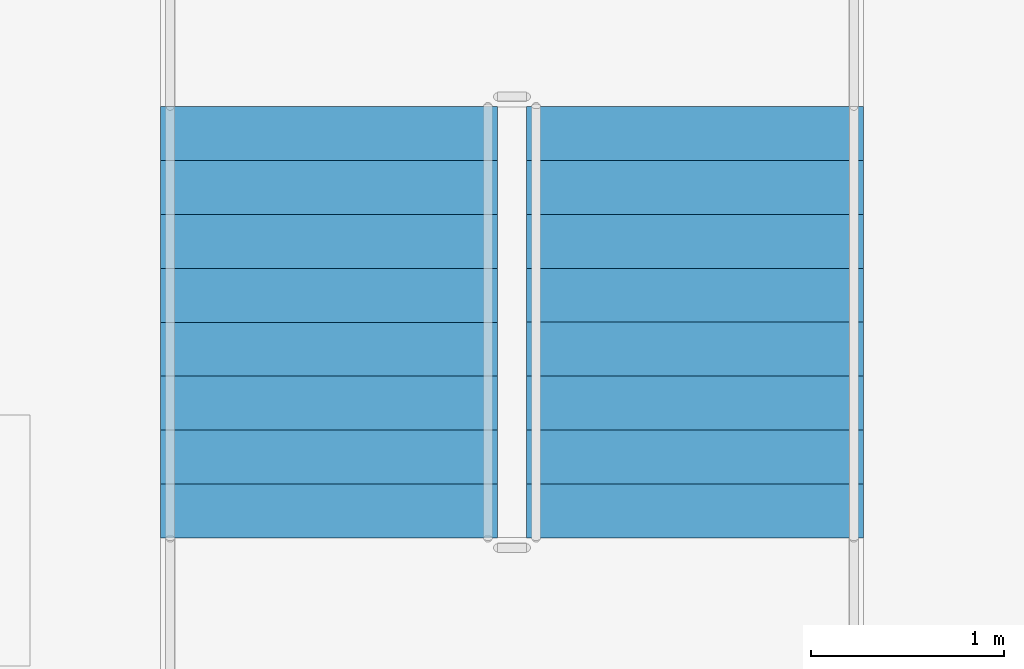
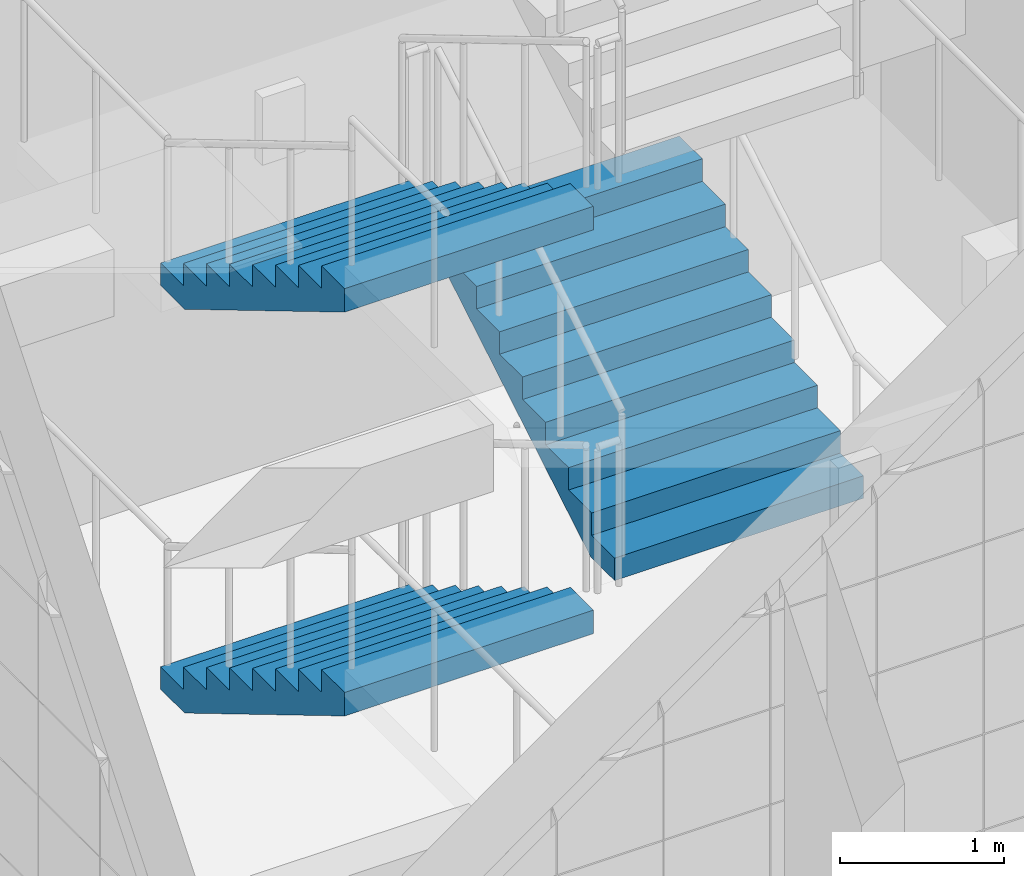
# One storey, part 62 of 125: 3 stair flights, 1 element without a shape of its own.
"""IFC4 building model written with IfcOpenShell, lengths in metres."""

from ifc_helpers import new_model, si_unit, direction, frame, origin, place, context, subcontext, project, spatial, polyline, outline, extrude, material, type_object, element, aggregate, save


model = new_model("IFC4")

# Units and contexts
model_context = context("Model", 3, precision=1e-05, world=origin(), true_north=direction((0.0, 1.0)))
body_context = subcontext(model_context, "Body", "Model", "MODEL_VIEW")
ifc_project = project(units=[si_unit("LENGTHUNIT", "METRE"), si_unit("AREAUNIT", "SQUARE_METRE"), si_unit("VOLUMEUNIT", "CUBIC_METRE"), si_unit("PLANEANGLEUNIT", "RADIAN"), si_unit("MASSUNIT", "GRAM", prefix="KILO")], contexts=[model_context])

# Site, building, storey
site_placement = place(None, origin())
site = spatial("IfcSite", under=ifc_project, at=site_placement, CompositionType="ELEMENT")
building_placement = place(site_placement, origin())
building = spatial("IfcBuilding", under=site, at=building_placement, Name="Sun Court Science Centre", CompositionType="ELEMENT")
storey_placement = place(building_placement, origin())
storey = spatial("IfcBuildingStorey", under=building, at=storey_placement, Name="L00", CompositionType="ELEMENT", Elevation=0.0)

# Stair, stair flights
ifc_material_1 = material(Name="Concrete C25/30", Category="concrete")
stair_type = type_object("IfcStairType", Name="Stair 1500 enclosed half-turn", PredefinedType="HALF_TURN_STAIR", material=ifc_material_1)
stair_placement = place(storey_placement, origin())
stair = element("IfcStair", 1, at=stair_placement, inside=storey, type_object=stair_type, Name="L00 Stair SL1", PredefinedType="HALF_TURN_STAIR")
ifc_material_2 = material(Name="Concrete C25/30", Category="concrete")
stair_flight_type = type_object("IfcStairFlightType", Name="Stair flight 1500 with waist", PredefinedType="STRAIGHT", material=ifc_material_2)
stair_flight_1_placement = place(storey_placement, frame((81.551025390625, 11.501953125, 0.0), z_axis=(0.0, 0.0, 1.0), x_axis=(0.0, -1.0, 0.0)))
stair_flight_1 = element("IfcStairFlight", 2, at=stair_flight_1_placement, type_object=stair_flight_type, Name="SL1 flight 1", NumberOfRisers=9, NumberOfTreads=8, PredefinedType="STRAIGHT", RiserHeight=0.166666667, TreadLength=0.28, context=body_context, shape_type="SweptSolid", body=[
    extrude(outline(polyline([(0.0, 0.0), (0.0, 0.00244140625), (0.0, 0.0048828125), (0.0, 0.00732421875), (0.0, 0.009765625), (0.0, 0.01220703125), (0.0, 0.0146484375), (0.0, 0.01708984375), (0.0, 0.01953125), (0.0, 0.02197265625), (0.0, 0.0244140625), (0.0, 0.02685546875), (0.0, 0.029296875), (0.0, 0.03173828125), (0.0, 0.0341796875), (0.0, 0.03662109375), (0.0, 0.0390625), (0.0, 0.04150390625), (0.0, 0.0439453125), (0.0, 0.04638671875), (0.0, 0.048828125), (0.0, 0.05126953125), (0.0, 0.0537109375), (0.0, 0.05615234375), (0.0, 0.05859375), (0.0, 0.06103515625), (0.0, 0.0634765625), (0.0, 0.06591796875), (0.0, 0.068359375), (0.0, 0.07080078125), (0.0, 0.0732421875), (0.0, 0.07568359375), (0.0, 0.078125), (0.0, 0.08056640625), (0.0, 0.0830078125), (0.0, 0.08544921875), (0.0, 0.087890625), (0.0, 0.09033203125), (0.0, 0.0927734375), (0.0, 0.09521484375), (0.0, 0.09765625), (0.0, 0.10009765625), (0.0, 0.1025390625), (0.0, 0.10498046875), (0.0, 0.107421875), (0.0, 0.10986328125), (0.0, 0.1123046875), (0.0, 0.11474609375), (0.0, 0.1171875), (0.0, 0.11962890625), (0.0, 0.1220703125), (0.0, 0.12451171875), (0.0, 0.126953125), (0.0, 0.12939453125), (0.0, 0.1318359375), (0.0, 0.13427734375), (0.0, 0.13671875), (0.0, 0.13916015625), (0.0, 0.1416015625), (0.0, 0.14404296875), (0.0, 0.146484375), (0.0, 0.14892578125), (0.0, 0.1513671875), (0.0, 0.15380859375), (0.0, 0.15625), (0.0, 0.15869140625), (0.0, 0.1611328125), (0.0, 0.16357421875), (0.0, 0.166748046875), (0.280029296875, 0.166748046875), (0.280029296875, 0.333251953125), (0.56005859375, 0.333251953125), (0.56005859375, 0.5), (0.840087890625, 0.5), (0.840087890625, 0.666748046875), (1.1201171875, 0.666748046875), (1.1201171875, 0.833251953125), (1.39990234375, 0.833251953125), (1.39990234375, 1.0), (1.679931640625, 1.0), (1.679931640625, 1.166748046875), (1.9599609375, 1.166748046875), (1.9599609375, 1.333251953125), (2.239990234375, 1.333251953125), (2.239990234375, 1.335693359375), (2.239990234375, 1.338134765625), (2.239990234375, 1.340576171875), (2.239990234375, 1.343017578125), (2.239990234375, 1.345458984375), (2.239990234375, 1.347900390625), (2.239990234375, 1.350341796875), (2.239990234375, 1.352783203125), (2.239990234375, 1.355224609375), (2.239990234375, 1.357666015625), (2.239990234375, 1.360107421875), (2.239990234375, 1.362548828125), (2.239990234375, 1.364990234375), (2.239990234375, 1.367431640625), (2.239990234375, 1.369873046875), (2.239990234375, 1.372314453125), (2.239990234375, 1.374755859375), (2.239990234375, 1.377197265625), (2.239990234375, 1.379638671875), (2.239990234375, 1.382080078125), (2.239990234375, 1.384521484375), (2.239990234375, 1.386962890625), (2.239990234375, 1.389404296875), (2.239990234375, 1.391845703125), (2.239990234375, 1.394287109375), (2.239990234375, 1.396728515625), (2.239990234375, 1.399169921875), (2.239990234375, 1.401611328125), (2.239990234375, 1.404052734375), (2.239990234375, 1.406494140625), (2.239990234375, 1.408935546875), (2.239990234375, 1.411376953125), (2.239990234375, 1.413818359375), (2.239990234375, 1.416259765625), (2.239990234375, 1.418701171875), (2.239990234375, 1.421142578125), (2.239990234375, 1.423583984375), (2.239990234375, 1.426025390625), (2.239990234375, 1.428466796875), (2.239990234375, 1.430908203125), (2.239990234375, 1.433349609375), (2.239990234375, 1.435791015625), (2.239990234375, 1.438232421875), (2.239990234375, 1.440673828125), (2.239990234375, 1.443115234375), (2.239990234375, 1.445556640625), (2.239990234375, 1.447998046875), (2.239990234375, 1.450439453125), (2.239990234375, 1.452880859375), (2.239990234375, 1.455322265625), (2.239990234375, 1.457763671875), (2.239990234375, 1.460205078125), (2.239990234375, 1.462646484375), (2.239990234375, 1.465087890625), (2.239990234375, 1.467529296875), (2.239990234375, 1.469970703125), (2.239990234375, 1.472412109375), (2.239990234375, 1.474853515625), (2.239990234375, 1.477294921875), (2.239990234375, 1.479736328125), (2.239990234375, 1.482177734375), (2.239990234375, 1.484619140625), (2.239990234375, 1.487060546875), (2.239990234375, 1.489501953125), (2.239990234375, 1.491943359375), (2.239990234375, 1.494384765625), (2.239990234375, 1.496826171875), (2.239990234375, 1.5), (2.239990234375, 1.49755859375), (2.239990234375, 1.4951171875), (2.239990234375, 1.49267578125), (2.239990234375, 1.490234375), (2.239990234375, 1.48779296875), (2.239990234375, 1.4853515625), (2.239990234375, 1.48291015625), (2.239990234375, 1.48046875), (2.239990234375, 1.47802734375), (2.239990234375, 1.4755859375), (2.239990234375, 1.47314453125), (2.239990234375, 1.470703125), (2.239990234375, 1.46826171875), (2.239990234375, 1.4658203125), (2.239990234375, 1.46337890625), (2.239990234375, 1.4609375), (2.239990234375, 1.45849609375), (2.239990234375, 1.4560546875), (2.239990234375, 1.45361328125), (2.239990234375, 1.451171875), (2.239990234375, 1.44873046875), (2.239990234375, 1.4462890625), (2.239990234375, 1.44384765625), (2.239990234375, 1.44140625), (2.239990234375, 1.43896484375), (2.239990234375, 1.4365234375), (2.239990234375, 1.43408203125), (2.239990234375, 1.431640625), (2.239990234375, 1.42919921875), (2.239990234375, 1.4267578125), (2.239990234375, 1.42431640625), (2.239990234375, 1.421875), (2.239990234375, 1.41943359375), (2.239990234375, 1.4169921875), (2.239990234375, 1.41455078125), (2.239990234375, 1.412109375), (2.239990234375, 1.40966796875), (2.239990234375, 1.4072265625), (2.239990234375, 1.40478515625), (2.239990234375, 1.40234375), (2.239990234375, 1.39990234375), (2.239990234375, 1.3974609375), (2.239990234375, 1.39501953125), (2.239990234375, 1.392578125), (2.239990234375, 1.39013671875), (2.239990234375, 1.3876953125), (2.239990234375, 1.38525390625), (2.239990234375, 1.3828125), (2.239990234375, 1.38037109375), (2.239990234375, 1.3779296875), (2.239990234375, 1.37548828125), (2.239990234375, 1.373046875), (2.239990234375, 1.37060546875), (2.239990234375, 1.3681640625), (2.239990234375, 1.36572265625), (2.239990234375, 1.36328125), (2.239990234375, 1.36083984375), (2.239990234375, 1.3583984375), (2.239990234375, 1.35595703125), (2.239990234375, 1.353515625), (2.239990234375, 1.35107421875), (2.239990234375, 1.3486328125), (2.239990234375, 1.34619140625), (2.239990234375, 1.34375), (2.239990234375, 1.34130859375), (2.239990234375, 1.3388671875), (2.239990234375, 1.33642578125), (2.239990234375, 1.333984375), (2.239990234375, 1.33154296875), (2.239990234375, 1.3291015625), (2.239990234375, 1.32666015625), (2.239990234375, 1.32421875), (2.239990234375, 1.32177734375), (2.239990234375, 1.3193359375), (2.239990234375, 1.31689453125), (2.239990234375, 1.314453125), (2.239990234375, 1.31201171875), (2.239990234375, 1.3095703125), (2.239990234375, 1.30712890625), (2.239990234375, 1.3046875), (2.239990234375, 1.30224609375), (2.239990234375, 1.2998046875), (2.239990234375, 1.29736328125), (2.239990234375, 1.294921875), (2.239990234375, 1.29248046875), (2.239990234375, 1.2900390625), (2.239990234375, 1.28759765625), (2.239990234375, 1.28515625), (2.239990234375, 1.28271484375), (2.239990234375, 1.2802734375), (2.239990234375, 1.27783203125), (2.239990234375, 1.275390625), (2.239990234375, 1.27294921875), (2.239990234375, 1.2705078125), (2.239990234375, 1.26806640625), (2.239990234375, 1.265625), (2.239990234375, 1.26318359375), (2.239990234375, 1.2607421875), (2.239990234375, 1.25830078125), (2.239990234375, 1.255859375), (2.239990234375, 1.25341796875), (2.239990234375, 1.2509765625), (2.239990234375, 1.24853515625), (2.239990234375, 1.24609375), (2.239990234375, 1.24365234375), (2.239990234375, 1.2412109375), (2.239990234375, 1.23876953125), (2.239990234375, 1.236328125), (2.239990234375, 1.23388671875), (2.239990234375, 1.2314453125), (2.239990234375, 1.22900390625), (2.239990234375, 1.2265625), (2.239990234375, 1.22412109375), (2.239990234375, 1.2216796875), (2.239990234375, 1.21923828125), (2.239990234375, 1.216796875), (2.239990234375, 1.21435546875), (2.239990234375, 1.2119140625), (2.239990234375, 1.20947265625), (2.239990234375, 1.20703125), (2.239990234375, 1.20458984375), (2.239990234375, 1.2021484375), (2.239990234375, 1.19970703125), (2.239990234375, 1.197265625), (2.239990234375, 1.19482421875), (2.239990234375, 1.1923828125), (2.239990234375, 1.18994140625), (2.239990234375, 1.1875), (2.239990234375, 1.18505859375), (2.239990234375, 1.1826171875), (2.239990234375, 1.18017578125), (2.239990234375, 1.177734375), (2.239990234375, 1.17529296875), (2.239990234375, 1.1728515625), (2.239990234375, 1.17041015625), (2.239990234375, 1.16796875), (2.239990234375, 1.16552734375), (2.239990234375, 1.1630859375), (2.239990234375, 1.158935546875), (0.29296875, 0.0), (0.0, 0.0)])), frame((0.0, 0.8740234375, 0.0), z_axis=(0.0, -1.0, 0.0), x_axis=(1.0, 0.0, 0.0)), (0.0, 0.0, 1.0), 1.748046875),
])
stair_flight_2_placement = place(storey_placement, frame((83.448974609375, 9.261962890625, 1.5), z_axis=(0.0, 0.0, 1.0), x_axis=(0.0, 1.0, 0.0)))
stair_flight_2 = element("IfcStairFlight", 3, at=stair_flight_2_placement, type_object=stair_flight_type, Name="SL1 flight 2", NumberOfRisers=9, NumberOfTreads=8, PredefinedType="STRAIGHT", RiserHeight=0.166666667, TreadLength=0.28, context=body_context, shape_type="SweptSolid", body=[
    extrude(outline(polyline([(0.0, 0.0), (0.0, 0.00244140625), (0.0, 0.0048828125), (0.0, 0.00732421875), (0.0, 0.009765625), (0.0, 0.01220703125), (0.0, 0.0146484375), (0.0, 0.01708984375), (0.0, 0.01953125), (0.0, 0.02197265625), (0.0, 0.0244140625), (0.0, 0.02685546875), (0.0, 0.029296875), (0.0, 0.03173828125), (0.0, 0.0341796875), (0.0, 0.03662109375), (0.0, 0.0390625), (0.0, 0.04150390625), (0.0, 0.0439453125), (0.0, 0.04638671875), (0.0, 0.048828125), (0.0, 0.05126953125), (0.0, 0.0537109375), (0.0, 0.05615234375), (0.0, 0.05859375), (0.0, 0.06103515625), (0.0, 0.0634765625), (0.0, 0.06591796875), (0.0, 0.068359375), (0.0, 0.07080078125), (0.0, 0.0732421875), (0.0, 0.07568359375), (0.0, 0.078125), (0.0, 0.08056640625), (0.0, 0.0830078125), (0.0, 0.08544921875), (0.0, 0.087890625), (0.0, 0.09033203125), (0.0, 0.0927734375), (0.0, 0.09521484375), (0.0, 0.09765625), (0.0, 0.10009765625), (0.0, 0.1025390625), (0.0, 0.10498046875), (0.0, 0.107421875), (0.0, 0.10986328125), (0.0, 0.1123046875), (0.0, 0.11474609375), (0.0, 0.1171875), (0.0, 0.11962890625), (0.0, 0.1220703125), (0.0, 0.12451171875), (0.0, 0.126953125), (0.0, 0.12939453125), (0.0, 0.1318359375), (0.0, 0.13427734375), (0.0, 0.13671875), (0.0, 0.13916015625), (0.0, 0.1416015625), (0.0, 0.14404296875), (0.0, 0.146484375), (0.0, 0.14892578125), (0.0, 0.1513671875), (0.0, 0.15380859375), (0.0, 0.15625), (0.0, 0.15869140625), (0.0, 0.1611328125), (0.0, 0.16357421875), (0.0, 0.166748046875), (0.280029296875, 0.166748046875), (0.280029296875, 0.333251953125), (0.56005859375, 0.333251953125), (0.56005859375, 0.5), (0.840087890625, 0.5), (0.840087890625, 0.666748046875), (1.1201171875, 0.666748046875), (1.1201171875, 0.833251953125), (1.39990234375, 0.833251953125), (1.39990234375, 1.0), (1.679931640625, 1.0), (1.679931640625, 1.166748046875), (1.9599609375, 1.166748046875), (1.9599609375, 1.333251953125), (2.239990234375, 1.333251953125), (2.239990234375, 1.335693359375), (2.239990234375, 1.338134765625), (2.239990234375, 1.340576171875), (2.239990234375, 1.343017578125), (2.239990234375, 1.345458984375), (2.239990234375, 1.347900390625), (2.239990234375, 1.350341796875), (2.239990234375, 1.352783203125), (2.239990234375, 1.355224609375), (2.239990234375, 1.357666015625), (2.239990234375, 1.360107421875), (2.239990234375, 1.362548828125), (2.239990234375, 1.364990234375), (2.239990234375, 1.367431640625), (2.239990234375, 1.369873046875), (2.239990234375, 1.372314453125), (2.239990234375, 1.374755859375), (2.239990234375, 1.377197265625), (2.239990234375, 1.379638671875), (2.239990234375, 1.382080078125), (2.239990234375, 1.384521484375), (2.239990234375, 1.386962890625), (2.239990234375, 1.389404296875), (2.239990234375, 1.391845703125), (2.239990234375, 1.394287109375), (2.239990234375, 1.396728515625), (2.239990234375, 1.399169921875), (2.239990234375, 1.401611328125), (2.239990234375, 1.404052734375), (2.239990234375, 1.406494140625), (2.239990234375, 1.408935546875), (2.239990234375, 1.411376953125), (2.239990234375, 1.413818359375), (2.239990234375, 1.416259765625), (2.239990234375, 1.418701171875), (2.239990234375, 1.421142578125), (2.239990234375, 1.423583984375), (2.239990234375, 1.426025390625), (2.239990234375, 1.428466796875), (2.239990234375, 1.430908203125), (2.239990234375, 1.433349609375), (2.239990234375, 1.435791015625), (2.239990234375, 1.438232421875), (2.239990234375, 1.440673828125), (2.239990234375, 1.443115234375), (2.239990234375, 1.445556640625), (2.239990234375, 1.447998046875), (2.239990234375, 1.450439453125), (2.239990234375, 1.452880859375), (2.239990234375, 1.455322265625), (2.239990234375, 1.457763671875), (2.239990234375, 1.460205078125), (2.239990234375, 1.462646484375), (2.239990234375, 1.465087890625), (2.239990234375, 1.467529296875), (2.239990234375, 1.469970703125), (2.239990234375, 1.472412109375), (2.239990234375, 1.474853515625), (2.239990234375, 1.477294921875), (2.239990234375, 1.479736328125), (2.239990234375, 1.482177734375), (2.239990234375, 1.484619140625), (2.239990234375, 1.487060546875), (2.239990234375, 1.489501953125), (2.239990234375, 1.491943359375), (2.239990234375, 1.494384765625), (2.239990234375, 1.496826171875), (2.239990234375, 1.5), (2.239990234375, 1.49755859375), (2.239990234375, 1.4951171875), (2.239990234375, 1.49267578125), (2.239990234375, 1.490234375), (2.239990234375, 1.48779296875), (2.239990234375, 1.4853515625), (2.239990234375, 1.48291015625), (2.239990234375, 1.48046875), (2.239990234375, 1.47802734375), (2.239990234375, 1.4755859375), (2.239990234375, 1.47314453125), (2.239990234375, 1.470703125), (2.239990234375, 1.46826171875), (2.239990234375, 1.4658203125), (2.239990234375, 1.46337890625), (2.239990234375, 1.4609375), (2.239990234375, 1.45849609375), (2.239990234375, 1.4560546875), (2.239990234375, 1.45361328125), (2.239990234375, 1.451171875), (2.239990234375, 1.44873046875), (2.239990234375, 1.4462890625), (2.239990234375, 1.44384765625), (2.239990234375, 1.44140625), (2.239990234375, 1.43896484375), (2.239990234375, 1.4365234375), (2.239990234375, 1.43408203125), (2.239990234375, 1.431640625), (2.239990234375, 1.42919921875), (2.239990234375, 1.4267578125), (2.239990234375, 1.42431640625), (2.239990234375, 1.421875), (2.239990234375, 1.41943359375), (2.239990234375, 1.4169921875), (2.239990234375, 1.41455078125), (2.239990234375, 1.412109375), (2.239990234375, 1.40966796875), (2.239990234375, 1.4072265625), (2.239990234375, 1.40478515625), (2.239990234375, 1.40234375), (2.239990234375, 1.39990234375), (2.239990234375, 1.3974609375), (2.239990234375, 1.39501953125), (2.239990234375, 1.392578125), (2.239990234375, 1.39013671875), (2.239990234375, 1.3876953125), (2.239990234375, 1.38525390625), (2.239990234375, 1.3828125), (2.239990234375, 1.38037109375), (2.239990234375, 1.3779296875), (2.239990234375, 1.37548828125), (2.239990234375, 1.373046875), (2.239990234375, 1.37060546875), (2.239990234375, 1.3681640625), (2.239990234375, 1.36572265625), (2.239990234375, 1.36328125), (2.239990234375, 1.36083984375), (2.239990234375, 1.3583984375), (2.239990234375, 1.35595703125), (2.239990234375, 1.353515625), (2.239990234375, 1.35107421875), (2.239990234375, 1.3486328125), (2.239990234375, 1.34619140625), (2.239990234375, 1.34375), (2.239990234375, 1.34130859375), (2.239990234375, 1.3388671875), (2.239990234375, 1.33642578125), (2.239990234375, 1.333984375), (2.239990234375, 1.33154296875), (2.239990234375, 1.3291015625), (2.239990234375, 1.32666015625), (2.239990234375, 1.32421875), (2.239990234375, 1.32177734375), (2.239990234375, 1.3193359375), (2.239990234375, 1.31689453125), (2.239990234375, 1.314453125), (2.239990234375, 1.31201171875), (2.239990234375, 1.3095703125), (2.239990234375, 1.30712890625), (2.239990234375, 1.3046875), (2.239990234375, 1.30224609375), (2.239990234375, 1.2998046875), (2.239990234375, 1.29736328125), (2.239990234375, 1.294921875), (2.239990234375, 1.29248046875), (2.239990234375, 1.2900390625), (2.239990234375, 1.28759765625), (2.239990234375, 1.28515625), (2.239990234375, 1.28271484375), (2.239990234375, 1.2802734375), (2.239990234375, 1.27783203125), (2.239990234375, 1.275390625), (2.239990234375, 1.27294921875), (2.239990234375, 1.2705078125), (2.239990234375, 1.26806640625), (2.239990234375, 1.265625), (2.239990234375, 1.26318359375), (2.239990234375, 1.2607421875), (2.239990234375, 1.25830078125), (2.239990234375, 1.255859375), (2.239990234375, 1.25341796875), (2.239990234375, 1.2509765625), (2.239990234375, 1.24853515625), (2.239990234375, 1.24609375), (2.239990234375, 1.24365234375), (2.239990234375, 1.2412109375), (2.239990234375, 1.23876953125), (2.239990234375, 1.236328125), (2.239990234375, 1.23388671875), (2.239990234375, 1.2314453125), (2.239990234375, 1.22900390625), (2.239990234375, 1.2265625), (2.239990234375, 1.22412109375), (2.239990234375, 1.2216796875), (2.239990234375, 1.21923828125), (2.239990234375, 1.216796875), (2.239990234375, 1.21435546875), (2.239990234375, 1.2119140625), (2.239990234375, 1.20947265625), (2.239990234375, 1.20703125), (2.239990234375, 1.20458984375), (2.239990234375, 1.2021484375), (2.239990234375, 1.19970703125), (2.239990234375, 1.197265625), (2.239990234375, 1.19482421875), (2.239990234375, 1.1923828125), (2.239990234375, 1.18994140625), (2.239990234375, 1.1875), (2.239990234375, 1.18505859375), (2.239990234375, 1.1826171875), (2.239990234375, 1.18017578125), (2.239990234375, 1.177734375), (2.239990234375, 1.17529296875), (2.239990234375, 1.1728515625), (2.239990234375, 1.17041015625), (2.239990234375, 1.16796875), (2.239990234375, 1.16552734375), (2.239990234375, 1.1630859375), (2.239990234375, 1.158935546875), (0.29296875, 0.0), (0.0, 0.0)])), frame((0.0, 0.8740234375, 0.0), z_axis=(0.0, -1.0, 0.0), x_axis=(1.0, 0.0, 0.0)), (0.0, 0.0, 1.0), 1.748046875),
])
stair_flight_3_placement = place(storey_placement, frame((81.551025390625, 11.501953125, 3.0), z_axis=(0.0, 0.0, 1.0), x_axis=(0.0, -1.0, 0.0)))
stair_flight_3 = element("IfcStairFlight", 4, at=stair_flight_3_placement, type_object=stair_flight_type, Name="SL1 flight 3", NumberOfRisers=9, NumberOfTreads=8, PredefinedType="STRAIGHT", RiserHeight=0.166666667, TreadLength=0.28, context=body_context, shape_type="SweptSolid", body=[
    extrude(outline(polyline([(0.0, 0.0), (0.0, 0.00244140625), (0.0, 0.0048828125), (0.0, 0.00732421875), (0.0, 0.009765625), (0.0, 0.01220703125), (0.0, 0.0146484375), (0.0, 0.01708984375), (0.0, 0.01953125), (0.0, 0.02197265625), (0.0, 0.0244140625), (0.0, 0.02685546875), (0.0, 0.029296875), (0.0, 0.03173828125), (0.0, 0.0341796875), (0.0, 0.03662109375), (0.0, 0.0390625), (0.0, 0.04150390625), (0.0, 0.0439453125), (0.0, 0.04638671875), (0.0, 0.048828125), (0.0, 0.05126953125), (0.0, 0.0537109375), (0.0, 0.05615234375), (0.0, 0.05859375), (0.0, 0.06103515625), (0.0, 0.0634765625), (0.0, 0.06591796875), (0.0, 0.068359375), (0.0, 0.07080078125), (0.0, 0.0732421875), (0.0, 0.07568359375), (0.0, 0.078125), (0.0, 0.08056640625), (0.0, 0.0830078125), (0.0, 0.08544921875), (0.0, 0.087890625), (0.0, 0.09033203125), (0.0, 0.0927734375), (0.0, 0.09521484375), (0.0, 0.09765625), (0.0, 0.10009765625), (0.0, 0.1025390625), (0.0, 0.10498046875), (0.0, 0.107421875), (0.0, 0.10986328125), (0.0, 0.1123046875), (0.0, 0.11474609375), (0.0, 0.1171875), (0.0, 0.11962890625), (0.0, 0.1220703125), (0.0, 0.12451171875), (0.0, 0.126953125), (0.0, 0.12939453125), (0.0, 0.1318359375), (0.0, 0.13427734375), (0.0, 0.13671875), (0.0, 0.13916015625), (0.0, 0.1416015625), (0.0, 0.14404296875), (0.0, 0.146484375), (0.0, 0.14892578125), (0.0, 0.1513671875), (0.0, 0.15380859375), (0.0, 0.15625), (0.0, 0.15869140625), (0.0, 0.1611328125), (0.0, 0.16357421875), (0.0, 0.166748046875), (0.280029296875, 0.166748046875), (0.280029296875, 0.333251953125), (0.56005859375, 0.333251953125), (0.56005859375, 0.5), (0.840087890625, 0.5), (0.840087890625, 0.666748046875), (1.1201171875, 0.666748046875), (1.1201171875, 0.833251953125), (1.39990234375, 0.833251953125), (1.39990234375, 1.0), (1.679931640625, 1.0), (1.679931640625, 1.166748046875), (1.9599609375, 1.166748046875), (1.9599609375, 1.333251953125), (2.239990234375, 1.333251953125), (2.239990234375, 1.335693359375), (2.239990234375, 1.338134765625), (2.239990234375, 1.340576171875), (2.239990234375, 1.343017578125), (2.239990234375, 1.345458984375), (2.239990234375, 1.347900390625), (2.239990234375, 1.350341796875), (2.239990234375, 1.352783203125), (2.239990234375, 1.355224609375), (2.239990234375, 1.357666015625), (2.239990234375, 1.360107421875), (2.239990234375, 1.362548828125), (2.239990234375, 1.364990234375), (2.239990234375, 1.367431640625), (2.239990234375, 1.369873046875), (2.239990234375, 1.372314453125), (2.239990234375, 1.374755859375), (2.239990234375, 1.377197265625), (2.239990234375, 1.379638671875), (2.239990234375, 1.382080078125), (2.239990234375, 1.384521484375), (2.239990234375, 1.386962890625), (2.239990234375, 1.389404296875), (2.239990234375, 1.391845703125), (2.239990234375, 1.394287109375), (2.239990234375, 1.396728515625), (2.239990234375, 1.399169921875), (2.239990234375, 1.401611328125), (2.239990234375, 1.404052734375), (2.239990234375, 1.406494140625), (2.239990234375, 1.408935546875), (2.239990234375, 1.411376953125), (2.239990234375, 1.413818359375), (2.239990234375, 1.416259765625), (2.239990234375, 1.418701171875), (2.239990234375, 1.421142578125), (2.239990234375, 1.423583984375), (2.239990234375, 1.426025390625), (2.239990234375, 1.428466796875), (2.239990234375, 1.430908203125), (2.239990234375, 1.433349609375), (2.239990234375, 1.435791015625), (2.239990234375, 1.438232421875), (2.239990234375, 1.440673828125), (2.239990234375, 1.443115234375), (2.239990234375, 1.445556640625), (2.239990234375, 1.447998046875), (2.239990234375, 1.450439453125), (2.239990234375, 1.452880859375), (2.239990234375, 1.455322265625), (2.239990234375, 1.457763671875), (2.239990234375, 1.460205078125), (2.239990234375, 1.462646484375), (2.239990234375, 1.465087890625), (2.239990234375, 1.467529296875), (2.239990234375, 1.469970703125), (2.239990234375, 1.472412109375), (2.239990234375, 1.474853515625), (2.239990234375, 1.477294921875), (2.239990234375, 1.479736328125), (2.239990234375, 1.482177734375), (2.239990234375, 1.484619140625), (2.239990234375, 1.487060546875), (2.239990234375, 1.489501953125), (2.239990234375, 1.491943359375), (2.239990234375, 1.494384765625), (2.239990234375, 1.496826171875), (2.239990234375, 1.5), (2.239990234375, 1.49755859375), (2.239990234375, 1.4951171875), (2.239990234375, 1.49267578125), (2.239990234375, 1.490234375), (2.239990234375, 1.48779296875), (2.239990234375, 1.4853515625), (2.239990234375, 1.48291015625), (2.239990234375, 1.48046875), (2.239990234375, 1.47802734375), (2.239990234375, 1.4755859375), (2.239990234375, 1.47314453125), (2.239990234375, 1.470703125), (2.239990234375, 1.46826171875), (2.239990234375, 1.4658203125), (2.239990234375, 1.46337890625), (2.239990234375, 1.4609375), (2.239990234375, 1.45849609375), (2.239990234375, 1.4560546875), (2.239990234375, 1.45361328125), (2.239990234375, 1.451171875), (2.239990234375, 1.44873046875), (2.239990234375, 1.4462890625), (2.239990234375, 1.44384765625), (2.239990234375, 1.44140625), (2.239990234375, 1.43896484375), (2.239990234375, 1.4365234375), (2.239990234375, 1.43408203125), (2.239990234375, 1.431640625), (2.239990234375, 1.42919921875), (2.239990234375, 1.4267578125), (2.239990234375, 1.42431640625), (2.239990234375, 1.421875), (2.239990234375, 1.41943359375), (2.239990234375, 1.4169921875), (2.239990234375, 1.41455078125), (2.239990234375, 1.412109375), (2.239990234375, 1.40966796875), (2.239990234375, 1.4072265625), (2.239990234375, 1.40478515625), (2.239990234375, 1.40234375), (2.239990234375, 1.39990234375), (2.239990234375, 1.3974609375), (2.239990234375, 1.39501953125), (2.239990234375, 1.392578125), (2.239990234375, 1.39013671875), (2.239990234375, 1.3876953125), (2.239990234375, 1.38525390625), (2.239990234375, 1.3828125), (2.239990234375, 1.38037109375), (2.239990234375, 1.3779296875), (2.239990234375, 1.37548828125), (2.239990234375, 1.373046875), (2.239990234375, 1.37060546875), (2.239990234375, 1.3681640625), (2.239990234375, 1.36572265625), (2.239990234375, 1.36328125), (2.239990234375, 1.36083984375), (2.239990234375, 1.3583984375), (2.239990234375, 1.35595703125), (2.239990234375, 1.353515625), (2.239990234375, 1.35107421875), (2.239990234375, 1.3486328125), (2.239990234375, 1.34619140625), (2.239990234375, 1.34375), (2.239990234375, 1.34130859375), (2.239990234375, 1.3388671875), (2.239990234375, 1.33642578125), (2.239990234375, 1.333984375), (2.239990234375, 1.33154296875), (2.239990234375, 1.3291015625), (2.239990234375, 1.32666015625), (2.239990234375, 1.32421875), (2.239990234375, 1.32177734375), (2.239990234375, 1.3193359375), (2.239990234375, 1.31689453125), (2.239990234375, 1.314453125), (2.239990234375, 1.31201171875), (2.239990234375, 1.3095703125), (2.239990234375, 1.30712890625), (2.239990234375, 1.3046875), (2.239990234375, 1.30224609375), (2.239990234375, 1.2998046875), (2.239990234375, 1.29736328125), (2.239990234375, 1.294921875), (2.239990234375, 1.29248046875), (2.239990234375, 1.2900390625), (2.239990234375, 1.28759765625), (2.239990234375, 1.28515625), (2.239990234375, 1.28271484375), (2.239990234375, 1.2802734375), (2.239990234375, 1.27783203125), (2.239990234375, 1.275390625), (2.239990234375, 1.27294921875), (2.239990234375, 1.2705078125), (2.239990234375, 1.26806640625), (2.239990234375, 1.265625), (2.239990234375, 1.26318359375), (2.239990234375, 1.2607421875), (2.239990234375, 1.25830078125), (2.239990234375, 1.255859375), (2.239990234375, 1.25341796875), (2.239990234375, 1.2509765625), (2.239990234375, 1.24853515625), (2.239990234375, 1.24609375), (2.239990234375, 1.24365234375), (2.239990234375, 1.2412109375), (2.239990234375, 1.23876953125), (2.239990234375, 1.236328125), (2.239990234375, 1.23388671875), (2.239990234375, 1.2314453125), (2.239990234375, 1.22900390625), (2.239990234375, 1.2265625), (2.239990234375, 1.22412109375), (2.239990234375, 1.2216796875), (2.239990234375, 1.21923828125), (2.239990234375, 1.216796875), (2.239990234375, 1.21435546875), (2.239990234375, 1.2119140625), (2.239990234375, 1.20947265625), (2.239990234375, 1.20703125), (2.239990234375, 1.20458984375), (2.239990234375, 1.2021484375), (2.239990234375, 1.19970703125), (2.239990234375, 1.197265625), (2.239990234375, 1.19482421875), (2.239990234375, 1.1923828125), (2.239990234375, 1.18994140625), (2.239990234375, 1.1875), (2.239990234375, 1.18505859375), (2.239990234375, 1.1826171875), (2.239990234375, 1.18017578125), (2.239990234375, 1.177734375), (2.239990234375, 1.17529296875), (2.239990234375, 1.1728515625), (2.239990234375, 1.17041015625), (2.239990234375, 1.16796875), (2.239990234375, 1.16552734375), (2.239990234375, 1.1630859375), (2.239990234375, 1.158935546875), (0.29296875, 0.0), (0.0, 0.0)])), frame((0.0, 0.8740234375, 0.0), z_axis=(0.0, -1.0, 0.0), x_axis=(1.0, 0.0, 0.0)), (0.0, 0.0, 1.0), 1.748046875),
])
aggregate(stair, [stair_flight_1, stair_flight_2, stair_flight_3])

save(model, "model.ifc")
